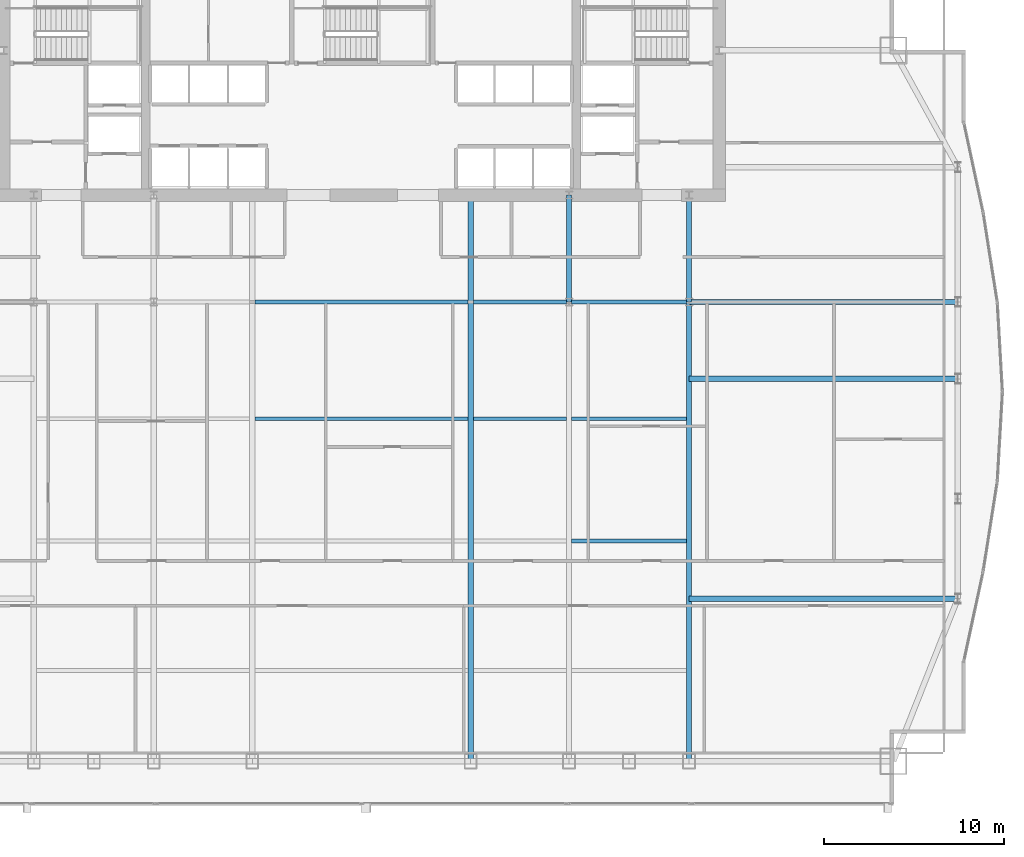
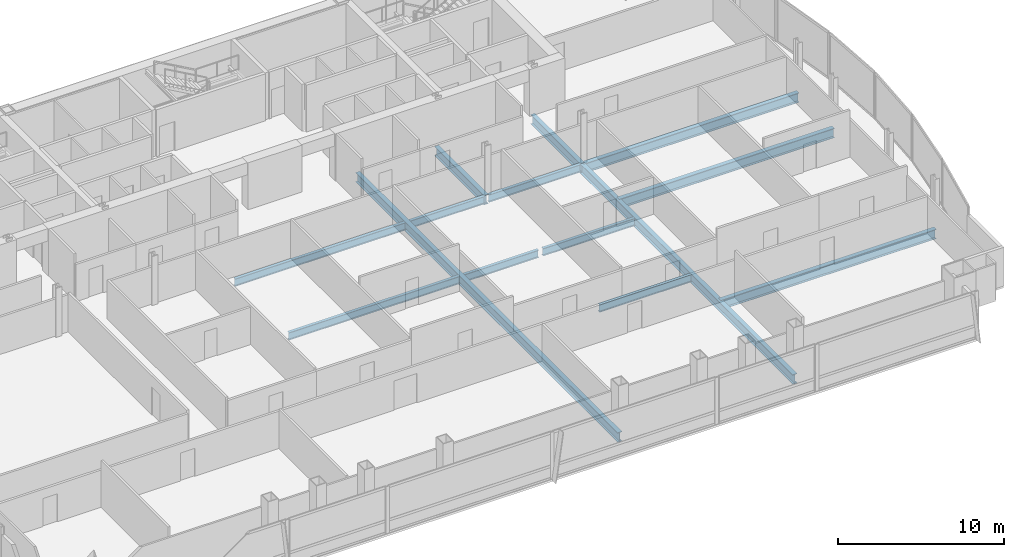
# One storey, part 16 of 32: 14 beams.
"""IFC4 building model written with IfcOpenShell, lengths in metres."""

import ifcopenshell
import ifcopenshell.guid

model = None  # the IFC model being written
_history = None  # IfcOwnerHistory: only IFC2X3 demands one
_inside = {}  # id of a spatial element -> (the spatial element, [elements in it])
_under = {}  # id of a project, library or spatial element -> (it, [spatial elements below it])
_declared = {}  # id of a project -> (the project, [libraries it declares])
_typed = {}  # id of a type object -> (the type object, [elements of that type])
_made_of = {}  # id of a material, layer set ... -> (it, [elements and type objects made of it])


def new_model(schema):
    """Start an empty IFC model of exactly this schema.

    Asked for "IFC4X3", IfcOpenShell would pick the latest addendum, in which some entities
    have other attributes; the version numbers below select the first issue.
    IFC2X3 requires an IfcOwnerHistory on every rooted entity: one is made here for all.
    """
    global model, _history
    if schema == "IFC4X3":
        model = ifcopenshell.file(schema_version=(4, 3, 0, 0))
    else:
        model = ifcopenshell.file(schema=schema)
    _inside.clear()
    _under.clear()
    _declared.clear()
    _typed.clear()
    _made_of.clear()
    _history = None
    if model.schema == "IFC2X3":
        org = make("IfcOrganization", Name="unknown")
        user = make(
            "IfcPersonAndOrganization",
            ThePerson=make("IfcPerson", FamilyName="unknown"),
            TheOrganization=org,
        )
        app = make(
            "IfcApplication",
            ApplicationDeveloper=org,
            Version="unknown",
            ApplicationFullName="unknown",
            ApplicationIdentifier="unknown",
        )
        _history = make(
            "IfcOwnerHistory",
            OwningUser=user,
            OwningApplication=app,
            ChangeAction="ADDED",
            CreationDate=0,
        )
    return model


def make(cls, **values):
    """One entity of the class cls with the attributes given. An attribute that is None is left unset."""
    return model.create_entity(
        cls, **{name: value for name, value in values.items() if value is not None}
    )


def rooted(cls, **values):
    """An entity with a GlobalId (a new one), such as an element, a storey or a relation."""
    return make(cls, GlobalId=ifcopenshell.guid.new(), OwnerHistory=_history, **values)


def si_unit(unit_type, name, prefix=None):
    """IfcSIUnit, for example si_unit("LENGTHUNIT", "METRE", prefix="MILLI")."""
    return make("IfcSIUnit", UnitType=unit_type, Prefix=prefix, Name=name)


def assignment(units):
    """IfcUnitAssignment: the units of a project."""
    return None if units is None else make("IfcUnitAssignment", Units=units)


def point(xyz):
    """IfcCartesianPoint."""
    return None if xyz is None else make("IfcCartesianPoint", Coordinates=xyz)


def direction(xyz):
    """IfcDirection."""
    return None if xyz is None else make("IfcDirection", DirectionRatios=xyz)


def frame(location, z_axis=None, x_axis=None):
    """IfcAxis2Placement3D, a coordinate frame: its origin and axes. An axis left out is left unset."""
    return make(
        "IfcAxis2Placement3D",
        Location=point(location),
        Axis=direction(z_axis),
        RefDirection=direction(x_axis),
    )


def frame_2d(location, x_axis=None):
    """IfcAxis2Placement2D, a coordinate frame in the plane: its origin and x axis."""
    return make(
        "IfcAxis2Placement2D", Location=point(location), RefDirection=direction(x_axis)
    )


def origin():
    """The frame at (0, 0, 0) with its axes left unset."""
    return frame((0.0, 0.0, 0.0))


def origin_2d():
    """The frame at (0, 0) in the plane with its x axis left unset."""
    return frame_2d((0.0, 0.0))


def place(relative_to, where):
    """IfcLocalPlacement: puts the frame where relative to a parent placement (None: the world)."""
    return make(
        "IfcLocalPlacement", PlacementRelTo=relative_to, RelativePlacement=where
    )


def context(
    kind, dimensions, precision=None, world=None, true_north=None, identifier=None
):
    """IfcGeometricRepresentationContext, for example the 3D "Model" context."""
    return make(
        "IfcGeometricRepresentationContext",
        ContextIdentifier=identifier,
        ContextType=kind,
        CoordinateSpaceDimension=dimensions,
        Precision=precision,
        WorldCoordinateSystem=world,
        TrueNorth=true_north,
    )


def subcontext(parent, identifier, kind, view, scale=None):
    """IfcGeometricRepresentationSubContext, for example "Body" below "Model"."""
    return make(
        "IfcGeometricRepresentationSubContext",
        ContextIdentifier=identifier,
        ContextType=kind,
        ParentContext=parent,
        TargetScale=scale,
        TargetView=view,
    )


def project(units=None, contexts=None):
    """IfcProject with its units and contexts."""
    return rooted(
        "IfcProject",
        Name="project",
        RepresentationContexts=contexts,
        UnitsInContext=assignment(units),
    )


def spatial(cls, under=None, at=None, **own):
    """A site, building, storey or space (cls), placed at a placement, below another one or the project."""
    s = rooted(cls, ObjectPlacement=at, **own)
    if under is not None:
        _under.setdefault(under.id(), (under, []))[1].append(s)
    return s


def profile(cls, at=None, kind="AREA", **sizes):
    """A parametric profile (cls). Its sizes go by their IFC names, for example OverallWidth=200.0."""
    return make(cls, ProfileType=kind, Position=at, **sizes)


def i_section(**sizes):
    """IfcIShapeProfileDef."""
    return profile("IfcIShapeProfileDef", **sizes)


def extrude(swept, where, along, depth):
    """IfcExtrudedAreaSolid: the profile swept, set in the frame where, extruded along a direction by depth."""
    return make(
        "IfcExtrudedAreaSolid",
        SweptArea=swept,
        Position=where,
        ExtrudedDirection=direction(along),
        Depth=depth,
    )


def shape(context_of_items, identifier, shape_type, items):
    """IfcShapeRepresentation: the items that make up one representation, for example the "Body"."""
    return make(
        "IfcShapeRepresentation",
        ContextOfItems=context_of_items,
        RepresentationIdentifier=identifier,
        RepresentationType=shape_type,
        Items=items,
    )


def material(Name=None, Category=None):
    """IfcMaterial."""
    return make("IfcMaterial", Name=Name, Category=Category)


def material_profile(
    of_material, cross_section, Name=None, Category=None, Priority=None
):
    """IfcMaterialProfile: a cross section and its material."""
    return make(
        "IfcMaterialProfile",
        Name=Name,
        Material=of_material,
        Profile=cross_section,
        Priority=Priority,
        Category=Category,
    )


def profile_set(profiles, Name=None, composite=None):
    """IfcMaterialProfileSet."""
    return make(
        "IfcMaterialProfileSet",
        Name=Name,
        MaterialProfiles=profiles,
        CompositeProfile=composite,
    )


def made_of(thing, what):
    """Note that an element or type object is made of a material, layer set ...; save() writes the relation."""
    if what is not None:
        _made_of.setdefault(what.id(), (what, []))[1].append(thing)
    return thing


def type_object(cls, material=None, **own):
    """A type object (cls), such as IfcWallType, which elements share."""
    return made_of(rooted(cls, **own), material)


def element(
    cls,
    number,
    at=None,
    inside=None,
    cuts=None,
    type_object=None,
    material=None,
    context=None,
    identifier="Body",
    shape_type=None,
    held_by="IfcProductDefinitionShape",
    body=None,
    shapes=None,
    **own,
):
    """One element of the class cls, such as IfcWall. Its Tag is "e" and its number.

    at: its placement. inside: the storey or other place that contains it. cuts: it is an
    opening in that element (IfcRelVoidsElement). A single representation is given by context,
    identifier, shape_type and body (its items); several are given by shapes. held_by: the class
    of the entity that holds the representations. save() writes the other relations.
    """
    e = rooted(cls, Tag="e%d" % number, ObjectPlacement=at, **own)
    if body is not None:
        shapes = [shape(context, identifier, shape_type, body)]
    if shapes is not None:
        e.Representation = make(held_by, Representations=shapes)
    if inside is not None:
        _inside.setdefault(inside.id(), (inside, []))[1].append(e)
    if cuts is not None:
        rooted(
            "IfcRelVoidsElement", RelatingBuildingElement=cuts, RelatedOpeningElement=e
        )
    if type_object is not None:
        _typed.setdefault(type_object.id(), (type_object, []))[1].append(e)
    return made_of(e, material)


def aggregate(whole, parts):
    """IfcRelAggregates: a whole, such as a stair, and the parts it consists of."""
    return rooted("IfcRelAggregates", RelatingObject=whole, RelatedObjects=parts)


def save(model, path):
    """Write the relations noted so far, then the file.

    IfcRelAggregates (storeys below a building ...), IfcRelContainedInSpatialStructure (elements
    in a storey), IfcRelDefinesByType, IfcRelAssociatesMaterial and IfcRelDeclares: one each for
    every whole, place, type object, material and project.
    """
    for whole, parts in _under.values():
        aggregate(whole, parts)
    for where, things in _inside.values():
        rooted(
            "IfcRelContainedInSpatialStructure",
            RelatedElements=things,
            RelatingStructure=where,
        )
    for kind, things in _typed.values():
        rooted("IfcRelDefinesByType", RelatedObjects=things, RelatingType=kind)
    for what, things in _made_of.values():
        rooted("IfcRelAssociatesMaterial", RelatedObjects=things, RelatingMaterial=what)
    for by, libraries in _declared.values():
        rooted("IfcRelDeclares", RelatingContext=by, RelatedDefinitions=libraries)
    model.write(path)


model = new_model("IFC4")

# Units and contexts
model_context = context("Model", 3, precision=1e-05, world=origin(), true_north=direction((0.0, 1.0)))
body_context = subcontext(model_context, "Body", "Model", "MODEL_VIEW")
ifc_project = project(units=[si_unit("LENGTHUNIT", "METRE"), si_unit("AREAUNIT", "SQUARE_METRE"), si_unit("VOLUMEUNIT", "CUBIC_METRE"), si_unit("PLANEANGLEUNIT", "RADIAN"), si_unit("MASSUNIT", "GRAM", prefix="KILO")], contexts=[model_context])

# Site, building, storey
site_placement = place(None, origin())
site = spatial("IfcSite", under=ifc_project, at=site_placement, CompositionType="ELEMENT")
building_placement = place(site_placement, origin())
building = spatial("IfcBuilding", under=site, at=building_placement, Name="Khoronbel Lancet Exchange", CompositionType="ELEMENT")
storey_placement = place(building_placement, frame((0.0, 0.0, 111.0)))
storey = spatial("IfcBuildingStorey", under=building, at=storey_placement, Name="L26", CompositionType="ELEMENT", Elevation=111.0)

# Beams
ifc_material = material(Name="Steel S355", Category="steel")
ifc_material_profile_1 = material_profile(ifc_material, i_section(OverallWidth=0.300048828125, OverallDepth=0.699951171875, WebThickness=0.01708984375, FlangeThickness=0.031982421875, at=origin_2d()), Name="HEB 700")
ifc_profile_set_1 = profile_set([ifc_material_profile_1], Name="Steel S355")
beam_type_1 = type_object("IfcBeamType", Name="BM-BG3", PredefinedType="BEAM", material=ifc_profile_set_1)
beam_1_placement = place(storey_placement, frame((42.52490234375, 10.14990234375, -0.510009765625), z_axis=(0.0, 1.0, 0.0), x_axis=(-1.0, 0.0, 0.0)))
element("IfcBeam", 1, at=beam_1_placement, inside=storey, type_object=beam_type_1, Name="Level L26 primary floor girder G4", PredefinedType="BEAM", context=body_context, shape_type="SweptSolid", body=[
    extrude(i_section(OverallWidth=0.300048828125, OverallDepth=0.699951171875, WebThickness=0.01708984375, FlangeThickness=0.031982421875, at=origin_2d()), origin(), (0.0, 0.0, 1.0), 31.5),
])
beam_2_placement = place(storey_placement, frame((48.0, 35.699951171875, -0.510009765625), z_axis=(0.0, 1.0, 0.0), x_axis=(-1.0, 0.0, 0.0)))
element("IfcBeam", 2, at=beam_2_placement, inside=storey, type_object=beam_type_1, Name="Level L26 spine tie girder GN5", PredefinedType="BEAM", context=body_context, shape_type="SweptSolid", body=[
    extrude(i_section(OverallWidth=0.300048828125, OverallDepth=0.699951171875, WebThickness=0.01708984375, FlangeThickness=0.031982421875, at=origin_2d()), origin(), (0.0, 0.0, 1.0), 5.949951171875),
])
beam_3_placement = place(storey_placement, frame((54.675048828125, 10.14990234375, -0.510009765625), z_axis=(0.0, 1.0, 0.0), x_axis=(-1.0, 0.0, 0.0)))
element("IfcBeam", 3, at=beam_3_placement, inside=storey, type_object=beam_type_1, Name="Level L26 south primary girder GS6", PredefinedType="BEAM", context=body_context, shape_type="SweptSolid", body=[
    extrude(i_section(OverallWidth=0.300048828125, OverallDepth=0.699951171875, WebThickness=0.01708984375, FlangeThickness=0.031982421875, at=origin_2d()), origin(), (0.0, 0.0, 1.0), 25.550048828125),
])
beam_4_placement = place(storey_placement, frame((54.675048828125, 35.699951171875, -0.510009765625), z_axis=(0.0, 1.0, 0.0), x_axis=(-1.0, 0.0, 0.0)))
element("IfcBeam", 4, at=beam_4_placement, inside=storey, type_object=beam_type_1, Name="Level L26 spine tie girder GN6", PredefinedType="BEAM", context=body_context, shape_type="SweptSolid", body=[
    extrude(i_section(OverallWidth=0.300048828125, OverallDepth=0.699951171875, WebThickness=0.01708984375, FlangeThickness=0.031982421875, at=origin_2d()), origin(), (0.0, 0.0, 1.0), 5.949951171875),
])
for number, where, z_axis, x_axis, name in (
    (5, (54.675048828125, 19.199951171875, -0.510009765625), (1.0, 0.0, 0.0), (0.0, 1.0, 0.0), "Level L26 east lens tie girder LG1E"),
    (6, (54.675048828125, 31.425048828125, -0.510009765625), (1.0, 0.0, 0.0), (0.0, 1.0, 0.0), "Level L26 east lens tie girder LG2E"),
    (7, (54.675048828125, 35.699951171875, -0.510009765625), (1.0, 0.0, 0.0), (0.0, 1.0, 0.0), "Level L26 east lens tie girder LG4E"),
):
    element("IfcBeam", number, at=place(storey_placement, frame(where, z_axis=z_axis, x_axis=x_axis)), inside=storey, type_object=beam_type_1, Name=name, PredefinedType="BEAM", context=body_context, shape_type="SweptSolid", body=[
        extrude(i_section(OverallWidth=0.300048828125, OverallDepth=0.699951171875, WebThickness=0.01708984375, FlangeThickness=0.031982421875, at=origin_2d()), origin(), (0.0, 0.0, 1.0), 14.954833984375),
    ])
ifc_material_profile_2 = material_profile(ifc_material, i_section(OverallWidth=0.2099609375, OverallDepth=0.550048828125, WebThickness=0.010986328125, FlangeThickness=0.01708984375, at=origin_2d()), Name="IPE 550")
ifc_profile_set_2 = profile_set([ifc_material_profile_2], Name="Steel S355")
beam_type_2 = type_object("IfcBeamType", Name="BM-BJ2", PredefinedType="JOIST", material=ifc_profile_set_2)
beam_5_placement = place(storey_placement, frame((48.14990234375, 22.39990234375, -0.43505859375), z_axis=(1.0, 0.0, 0.0), x_axis=(0.0, 1.0, 0.0)))
element("IfcBeam", 8, at=beam_5_placement, inside=storey, type_object=beam_type_2, Name="Level L26 secondary composite joist J10", PredefinedType="JOIST", context=body_context, shape_type="SweptSolid", body=[
    extrude(i_section(OverallWidth=0.2099609375, OverallDepth=0.550048828125, WebThickness=0.010986328125, FlangeThickness=0.01708984375, at=origin_2d()), origin(), (0.0, 0.0, 1.0), 6.375),
])
beam_6_placement = place(storey_placement, frame((30.52490234375, 29.199951171875, -0.43505859375), z_axis=(1.0, 0.0, 0.0), x_axis=(0.0, 1.0, 0.0)))
element("IfcBeam", 9, at=beam_6_placement, inside=storey, type_object=beam_type_2, Name="Level L26 secondary composite joist J13", PredefinedType="JOIST", context=body_context, shape_type="SweptSolid", body=[
    extrude(i_section(OverallWidth=0.2099609375, OverallDepth=0.550048828125, WebThickness=0.010986328125, FlangeThickness=0.01708984375, at=origin_2d()), origin(), (0.0, 0.0, 1.0), 11.85009765625),
])
beam_7_placement = place(storey_placement, frame((42.675048828125, 29.199951171875, -0.43505859375), z_axis=(1.0, 0.0, 0.0), x_axis=(0.0, 1.0, 0.0)))
element("IfcBeam", 10, at=beam_7_placement, inside=storey, type_object=beam_type_2, Name="Level L26 secondary composite joist J14", PredefinedType="JOIST", context=body_context, shape_type="SweptSolid", body=[
    extrude(i_section(OverallWidth=0.2099609375, OverallDepth=0.550048828125, WebThickness=0.010986328125, FlangeThickness=0.01708984375, at=origin_2d()), origin(), (0.0, 0.0, 1.0), 5.175048828125),
])
beam_8_placement = place(storey_placement, frame((48.14990234375, 29.199951171875, -0.43505859375), z_axis=(1.0, 0.0, 0.0), x_axis=(0.0, 1.0, 0.0)))
element("IfcBeam", 11, at=beam_8_placement, inside=storey, type_object=beam_type_2, Name="Level L26 secondary composite joist J15", PredefinedType="JOIST", context=body_context, shape_type="SweptSolid", body=[
    extrude(i_section(OverallWidth=0.2099609375, OverallDepth=0.550048828125, WebThickness=0.010986328125, FlangeThickness=0.01708984375, at=origin_2d()), origin(), (0.0, 0.0, 1.0), 6.375),
])
beam_9_placement = place(storey_placement, frame((30.52490234375, 35.699951171875, -0.43505859375), z_axis=(1.0, 0.0, 0.0), x_axis=(0.0, 1.0, 0.0)))
element("IfcBeam", 12, at=beam_9_placement, inside=storey, type_object=beam_type_2, Name="Level L26 secondary composite joist J18", PredefinedType="JOIST", context=body_context, shape_type="SweptSolid", body=[
    extrude(i_section(OverallWidth=0.2099609375, OverallDepth=0.550048828125, WebThickness=0.010986328125, FlangeThickness=0.01708984375, at=origin_2d()), origin(), (0.0, 0.0, 1.0), 11.85009765625),
])
beam_10_placement = place(storey_placement, frame((42.675048828125, 35.699951171875, -0.43505859375), z_axis=(1.0, 0.0, 0.0), x_axis=(0.0, 1.0, 0.0)))
element("IfcBeam", 13, at=beam_10_placement, inside=storey, type_object=beam_type_2, Name="Level L26 secondary composite joist J19", PredefinedType="JOIST", context=body_context, shape_type="SweptSolid", body=[
    extrude(i_section(OverallWidth=0.2099609375, OverallDepth=0.550048828125, WebThickness=0.010986328125, FlangeThickness=0.01708984375, at=origin_2d()), origin(), (0.0, 0.0, 1.0), 5.175048828125),
])
beam_11_placement = place(storey_placement, frame((48.14990234375, 35.699951171875, -0.43505859375), z_axis=(1.0, 0.0, 0.0), x_axis=(0.0, 1.0, 0.0)))
element("IfcBeam", 14, at=beam_11_placement, inside=storey, type_object=beam_type_2, Name="Level L26 secondary composite joist J20", PredefinedType="JOIST", context=body_context, shape_type="SweptSolid", body=[
    extrude(i_section(OverallWidth=0.2099609375, OverallDepth=0.550048828125, WebThickness=0.010986328125, FlangeThickness=0.01708984375, at=origin_2d()), origin(), (0.0, 0.0, 1.0), 6.375),
])

save(model, "model.ifc")
